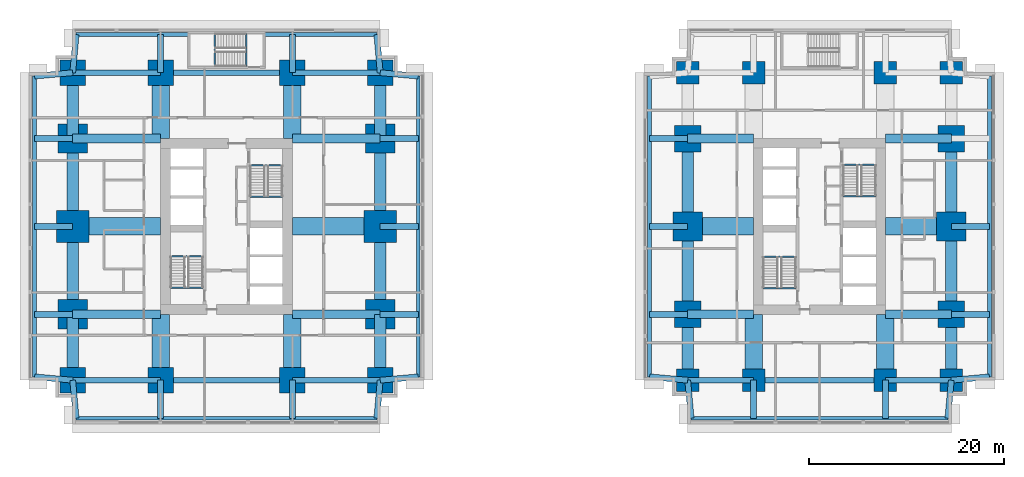
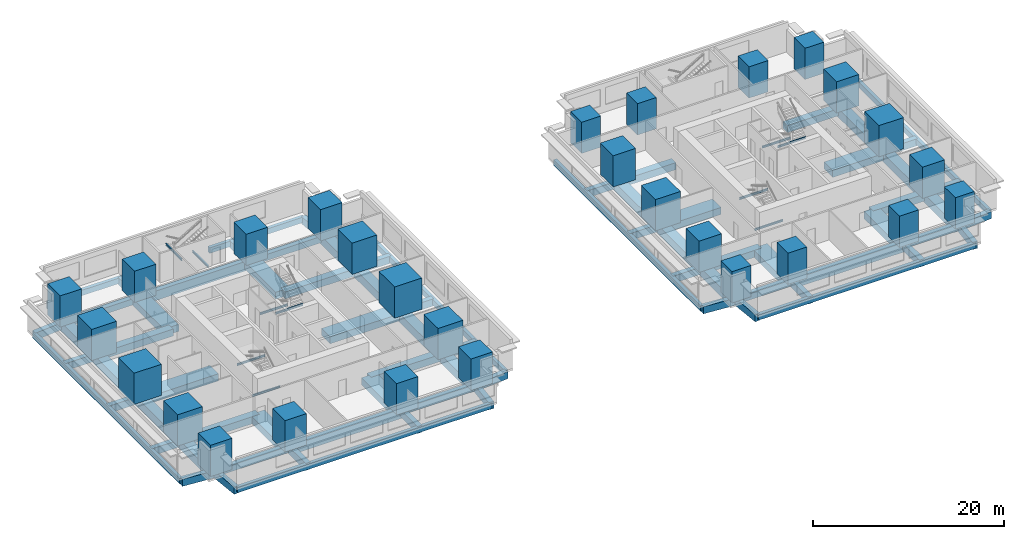
# One storey, part 1 of 12: 88 beams, 28 columns.
"""IFC4 building model written with IfcOpenShell, lengths in metres."""

from ifc_helpers import new_model, si_unit, direction, frame, origin, origin_2d, place, context, subcontext, project, spatial, rectangle, i_section, extrude, material, material_profile, profile_set, type_object, element, save


model = new_model("IFC4")

# Units and contexts
model_context = context("Model", 3, precision=1e-05, world=origin(), true_north=direction((0.0, 1.0)))
body_context = subcontext(model_context, "Body", "Model", "MODEL_VIEW")
ifc_project = project(units=[si_unit("LENGTHUNIT", "METRE"), si_unit("AREAUNIT", "SQUARE_METRE"), si_unit("VOLUMEUNIT", "CUBIC_METRE"), si_unit("PLANEANGLEUNIT", "RADIAN"), si_unit("MASSUNIT", "GRAM", prefix="KILO")], contexts=[model_context])

# Site, building, storey
site_placement = place(None, origin())
site = spatial("IfcSite", under=ifc_project, at=site_placement, CompositionType="ELEMENT")
building_placement = place(site_placement, origin())
building = spatial("IfcBuilding", under=site, at=building_placement, Name="Namib Vertical Campus", CompositionType="ELEMENT")
storey_placement = place(building_placement, frame((0.0, 0.0, 45.0)))
storey = spatial("IfcBuildingStorey", under=building, at=storey_placement, Name="L10", CompositionType="ELEMENT", Elevation=45.0)

# Columns
ifc_material_1 = material(Name="Concrete C60/75", Category="concrete")
ifc_material_profile_1 = material_profile(ifc_material_1, rectangle(XDim=2.300048828125, YDim=2.300048828125, at=origin_2d()))
ifc_profile_set_1 = profile_set([ifc_material_profile_1], Name="Concrete C60/75")
column_type_1 = type_object("IfcColumnType", Name="Column RC 2300x2300", PredefinedType="COLUMN", material=ifc_profile_set_1)
for number, where, z_axis, x_axis, name in (
    (1, (67.5, 4.5, 0.0), (0.0, 0.0, 1.0), (1.0, 0.0, 0.0), "Column C230 L10"),
    (2, (74.25, 4.5, 0.0), (0.0, 0.0, 1.0), (1.0, 0.0, 0.0), "Column C230 L10"),
    (3, (87.75, 4.5, 0.0), (0.0, 0.0, 1.0), (1.0, 0.0, 0.0), "Column C230 L10"),
    (4, (94.5, 4.5, 0.0), (0.0, 0.0, 1.0), (1.0, 0.0, 0.0), "Column C230 L10"),
    (5, (67.5, 36.0, 0.0), (0.0, 0.0, 1.0), (1.0, 0.0, 0.0), "Column C230 L10"),
    (6, (74.25, 36.0, 0.0), (0.0, 0.0, 1.0), (1.0, 0.0, 0.0), "Column C230 L10"),
    (7, (87.75, 36.0, 0.0), (0.0, 0.0, 1.0), (1.0, 0.0, 0.0), "Column C230 L10"),
    (8, (94.5, 36.0, 0.0), (0.0, 0.0, 1.0), (1.0, 0.0, 0.0), "Column C230 L10"),
):
    element("IfcColumn", number, at=place(storey_placement, frame(where, z_axis=z_axis, x_axis=x_axis)), inside=storey, type_object=column_type_1, Name=name, PredefinedType="COLUMN", context=body_context, shape_type="SweptSolid", body=[
        extrude(rectangle(XDim=2.300048828125, YDim=2.300048828125, at=origin_2d()), origin(), (0.0, 0.0, 1.0), 4.0),
    ])
ifc_material_2 = material(Name="Concrete C60/75", Category="concrete")
ifc_material_profile_2 = material_profile(ifc_material_2, rectangle(XDim=2.60009765625, YDim=2.60009765625, at=origin_2d()))
ifc_profile_set_2 = profile_set([ifc_material_profile_2], Name="Concrete C60/75")
column_type_2 = type_object("IfcColumnType", Name="Column RC 2600x2600", PredefinedType="COLUMN", material=ifc_profile_set_2)
for number, where, z_axis, x_axis, name in (
    (9, (4.5, 4.5, 0.0), (0.0, 0.0, 1.0), (1.0, 0.0, 0.0), "Column C260 L10"),
    (10, (13.5, 4.5, 0.0), (0.0, 0.0, 1.0), (1.0, 0.0, 0.0), "Column C260 L10"),
    (11, (27.0, 4.5, 0.0), (0.0, 0.0, 1.0), (1.0, 0.0, 0.0), "Column C260 L10"),
    (12, (36.0, 4.5, 0.0), (0.0, 0.0, 1.0), (1.0, 0.0, 0.0), "Column C260 L10"),
    (13, (4.5, 36.0, 0.0), (0.0, 0.0, 1.0), (1.0, 0.0, 0.0), "Column C260 L10"),
    (14, (13.5, 36.0, 0.0), (0.0, 0.0, 1.0), (1.0, 0.0, 0.0), "Column C260 L10"),
    (15, (27.0, 36.0, 0.0), (0.0, 0.0, 1.0), (1.0, 0.0, 0.0), "Column C260 L10"),
    (16, (36.0, 36.0, 0.0), (0.0, 0.0, 1.0), (1.0, 0.0, 0.0), "Column C260 L10"),
):
    element("IfcColumn", number, at=place(storey_placement, frame(where, z_axis=z_axis, x_axis=x_axis)), inside=storey, type_object=column_type_2, Name=name, PredefinedType="COLUMN", context=body_context, shape_type="SweptSolid", body=[
        extrude(rectangle(XDim=2.60009765625, YDim=2.60009765625, at=origin_2d()), origin(), (0.0, 0.0, 1.0), 4.0),
    ])
ifc_material_3 = material(Name="Concrete C60/75", Category="concrete")
ifc_material_profile_3 = material_profile(ifc_material_3, rectangle(XDim=2.699951171875, YDim=2.699951171875, at=origin_2d()))
ifc_profile_set_3 = profile_set([ifc_material_profile_3], Name="Concrete C60/75")
column_type_3 = type_object("IfcColumnType", Name="Column RC 2700x2700", PredefinedType="COLUMN", material=ifc_profile_set_3)
for number, where, z_axis, x_axis, name in (
    (17, (67.5, 11.25, 0.0), (0.0, 0.0, 1.0), (1.0, 0.0, 0.0), "Column C270 L10"),
    (18, (94.5, 11.25, 0.0), (0.0, 0.0, 1.0), (1.0, 0.0, 0.0), "Column C270 L10"),
    (19, (67.5, 29.25, 0.0), (0.0, 0.0, 1.0), (1.0, 0.0, 0.0), "Column C270 L10"),
    (20, (94.5, 29.25, 0.0), (0.0, 0.0, 1.0), (1.0, 0.0, 0.0), "Column C270 L10"),
):
    element("IfcColumn", number, at=place(storey_placement, frame(where, z_axis=z_axis, x_axis=x_axis)), inside=storey, type_object=column_type_3, Name=name, PredefinedType="COLUMN", context=body_context, shape_type="SweptSolid", body=[
        extrude(rectangle(XDim=2.699951171875, YDim=2.699951171875, at=origin_2d()), origin(), (0.0, 0.0, 1.0), 4.0),
    ])
ifc_material_4 = material(Name="Concrete C60/75", Category="concrete")
ifc_material_profile_4 = material_profile(ifc_material_4, rectangle(XDim=3.0, YDim=3.0, at=origin_2d()))
ifc_profile_set_4 = profile_set([ifc_material_profile_4], Name="Concrete C60/75")
column_type_4 = type_object("IfcColumnType", Name="Column RC 3000x3000", PredefinedType="COLUMN", material=ifc_profile_set_4)
for number, where, z_axis, x_axis, name in (
    (21, (4.5, 11.25, 0.0), (0.0, 0.0, 1.0), (1.0, 0.0, 0.0), "Column C300 L10"),
    (22, (36.0, 11.25, 0.0), (0.0, 0.0, 1.0), (1.0, 0.0, 0.0), "Column C300 L10"),
    (23, (4.5, 29.25, 0.0), (0.0, 0.0, 1.0), (1.0, 0.0, 0.0), "Column C300 L10"),
    (24, (36.0, 29.25, 0.0), (0.0, 0.0, 1.0), (1.0, 0.0, 0.0), "Column C300 L10"),
    (25, (67.5, 20.25, 0.0), (0.0, 0.0, 1.0), (1.0, 0.0, 0.0), "Column C300 L10"),
    (26, (94.5, 20.25, 0.0), (0.0, 0.0, 1.0), (1.0, 0.0, 0.0), "Column C300 L10"),
):
    element("IfcColumn", number, at=place(storey_placement, frame(where, z_axis=z_axis, x_axis=x_axis)), inside=storey, type_object=column_type_4, Name=name, PredefinedType="COLUMN", context=body_context, shape_type="SweptSolid", body=[
        extrude(rectangle(XDim=3.0, YDim=3.0, at=origin_2d()), origin(), (0.0, 0.0, 1.0), 4.0),
    ])
ifc_material_5 = material(Name="Concrete C60/75", Category="concrete")
ifc_material_profile_5 = material_profile(ifc_material_5, rectangle(XDim=3.300048828125, YDim=3.300048828125, at=origin_2d()))
ifc_profile_set_5 = profile_set([ifc_material_profile_5], Name="Concrete C60/75")
column_type_5 = type_object("IfcColumnType", Name="Column RC 3300x3300", PredefinedType="COLUMN", material=ifc_profile_set_5)
for number, where, z_axis, x_axis, name in (
    (27, (4.5, 20.25, 0.0), (0.0, 0.0, 1.0), (1.0, 0.0, 0.0), "Column C330 L10"),
    (28, (36.0, 20.25, 0.0), (0.0, 0.0, 1.0), (1.0, 0.0, 0.0), "Column C330 L10"),
):
    element("IfcColumn", number, at=place(storey_placement, frame(where, z_axis=z_axis, x_axis=x_axis)), inside=storey, type_object=column_type_5, Name=name, PredefinedType="COLUMN", context=body_context, shape_type="SweptSolid", body=[
        extrude(rectangle(XDim=3.300048828125, YDim=3.300048828125, at=origin_2d()), origin(), (0.0, 0.0, 1.0), 4.0),
    ])

# Beams
ifc_material_6 = material(Name="Concrete C40/50", Category="concrete")
ifc_material_profile_6 = material_profile(ifc_material_6, rectangle(XDim=0.60009765625, YDim=0.89990234375, at=origin_2d()))
ifc_profile_set_6 = profile_set([ifc_material_profile_6], Name="Concrete C40/50")
beam_type_1 = type_object("IfcBeamType", Name="Cantilever girder RC 600x900", PredefinedType="BEAM", material=ifc_profile_set_6)
beam_1_placement = place(storey_placement, frame((4.5, 4.5, -0.699951171875), z_axis=(0.089411326146, -0.995994786511, 0.0), x_axis=(0.995994786511, 0.089411326146, 0.0)))
element("IfcBeam", 29, at=beam_1_placement, inside=storey, type_object=beam_type_1, Name="Beam B3 L10", PredefinedType="BEAM", context=body_context, shape_type="SweptSolid", body=[
    extrude(rectangle(XDim=0.60009765625, YDim=0.89990234375, at=origin_2d()), origin(), (0.0, 0.0, 1.0), 3.91552734375),
])
for number, where, z_axis, x_axis, name in (
    (30, (13.5, 4.5, -0.699951171875), (0.0, -1.0, 0.0), (1.0, 0.0, 0.0), "Beam B3 L10"),
    (31, (27.0, 4.5, -0.699951171875), (0.0, -1.0, 0.0), (1.0, 0.0, 0.0), "Beam B3 L10"),
):
    element("IfcBeam", number, at=place(storey_placement, frame(where, z_axis=z_axis, x_axis=x_axis)), inside=storey, type_object=beam_type_1, Name=name, PredefinedType="BEAM", context=body_context, shape_type="SweptSolid", body=[
        extrude(rectangle(XDim=0.60009765625, YDim=0.89990234375, at=origin_2d()), origin(), (0.0, 0.0, 1.0), 3.89990234375),
    ])
for number, where, z_axis, x_axis, name in (
    (32, (36.0, 4.5, -0.699951171875), (-0.089411326146, -0.995994786511, 0.0), (0.995994786511, -0.089411326146, 0.0), "Beam B3 L10"),
    (33, (4.5, 36.0, -0.699951171875), (0.089411326146, 0.995994786511, 0.0), (-0.995994786511, 0.089411326146, 0.0), "Beam B3 L10"),
):
    element("IfcBeam", number, at=place(storey_placement, frame(where, z_axis=z_axis, x_axis=x_axis)), inside=storey, type_object=beam_type_1, Name=name, PredefinedType="BEAM", context=body_context, shape_type="SweptSolid", body=[
        extrude(rectangle(XDim=0.60009765625, YDim=0.89990234375, at=origin_2d()), origin(), (0.0, 0.0, 1.0), 3.91552734375),
    ])
for number, where, z_axis, x_axis, name in (
    (34, (13.5, 36.0, -0.699951171875), (0.0, 1.0, 0.0), (-1.0, 0.0, 0.0), "Beam B3 L10"),
    (35, (27.0, 36.0, -0.699951171875), (0.0, 1.0, 0.0), (-1.0, 0.0, 0.0), "Beam B3 L10"),
):
    element("IfcBeam", number, at=place(storey_placement, frame(where, z_axis=z_axis, x_axis=x_axis)), inside=storey, type_object=beam_type_1, Name=name, PredefinedType="BEAM", context=body_context, shape_type="SweptSolid", body=[
        extrude(rectangle(XDim=0.60009765625, YDim=0.89990234375, at=origin_2d()), origin(), (0.0, 0.0, 1.0), 3.89990234375),
    ])
for number, where, z_axis, x_axis, name in (
    (36, (36.0, 36.0, -0.699951171875), (-0.089411326146, 0.995994786511, 0.0), (-0.995994786511, -0.089411326146, 0.0), "Beam B3 L10"),
    (37, (4.5, 4.5, -0.699951171875), (-0.995994786511, 0.089411326146, 0.0), (-0.089411326146, -0.995994786511, 0.0), "Beam B3 L10"),
):
    element("IfcBeam", number, at=place(storey_placement, frame(where, z_axis=z_axis, x_axis=x_axis)), inside=storey, type_object=beam_type_1, Name=name, PredefinedType="BEAM", context=body_context, shape_type="SweptSolid", body=[
        extrude(rectangle(XDim=0.60009765625, YDim=0.89990234375, at=origin_2d()), origin(), (0.0, 0.0, 1.0), 3.91552734375),
    ])
for number, where, z_axis, x_axis, name in (
    (38, (4.5, 11.25, -0.699951171875), (-1.0, 0.0, 0.0), (0.0, -1.0, 0.0), "Beam B3 L10"),
    (39, (4.5, 20.25, -0.699951171875), (-1.0, 0.0, 0.0), (0.0, -1.0, 0.0), "Beam B3 L10"),
    (40, (4.5, 29.25, -0.699951171875), (-1.0, 0.0, 0.0), (0.0, -1.0, 0.0), "Beam B3 L10"),
):
    element("IfcBeam", number, at=place(storey_placement, frame(where, z_axis=z_axis, x_axis=x_axis)), inside=storey, type_object=beam_type_1, Name=name, PredefinedType="BEAM", context=body_context, shape_type="SweptSolid", body=[
        extrude(rectangle(XDim=0.60009765625, YDim=0.89990234375, at=origin_2d()), origin(), (0.0, 0.0, 1.0), 3.89990234375),
    ])
for number, where, z_axis, x_axis, name in (
    (41, (4.5, 36.0, -0.699951171875), (-0.995994786511, -0.089411326146, 0.0), (0.089411326146, -0.995994786511, 0.0), "Beam B3 L10"),
    (42, (36.0, 4.5, -0.699951171875), (0.995994786511, 0.089411326146, 0.0), (-0.089411326146, 0.995994786511, 0.0), "Beam B3 L10"),
):
    element("IfcBeam", number, at=place(storey_placement, frame(where, z_axis=z_axis, x_axis=x_axis)), inside=storey, type_object=beam_type_1, Name=name, PredefinedType="BEAM", context=body_context, shape_type="SweptSolid", body=[
        extrude(rectangle(XDim=0.60009765625, YDim=0.89990234375, at=origin_2d()), origin(), (0.0, 0.0, 1.0), 3.91552734375),
    ])
for number, where, z_axis, x_axis, name in (
    (43, (36.0, 11.25, -0.699951171875), (1.0, 0.0, 0.0), (0.0, 1.0, 0.0), "Beam B3 L10"),
    (44, (36.0, 20.25, -0.699951171875), (1.0, 0.0, 0.0), (0.0, 1.0, 0.0), "Beam B3 L10"),
    (45, (36.0, 29.25, -0.699951171875), (1.0, 0.0, 0.0), (0.0, 1.0, 0.0), "Beam B3 L10"),
):
    element("IfcBeam", number, at=place(storey_placement, frame(where, z_axis=z_axis, x_axis=x_axis)), inside=storey, type_object=beam_type_1, Name=name, PredefinedType="BEAM", context=body_context, shape_type="SweptSolid", body=[
        extrude(rectangle(XDim=0.60009765625, YDim=0.89990234375, at=origin_2d()), origin(), (0.0, 0.0, 1.0), 3.89990234375),
    ])
for number, where, z_axis, x_axis, name in (
    (46, (36.0, 36.0, -0.699951171875), (0.995994786511, -0.089411326146, 0.0), (0.089411326146, 0.995994786511, 0.0), "Beam B3 L10"),
    (47, (67.5, 4.5, -0.699951171875), (0.089411326146, -0.995994786511, 0.0), (0.995994786511, 0.089411326146, 0.0), "Beam B3 L10"),
):
    element("IfcBeam", number, at=place(storey_placement, frame(where, z_axis=z_axis, x_axis=x_axis)), inside=storey, type_object=beam_type_1, Name=name, PredefinedType="BEAM", context=body_context, shape_type="SweptSolid", body=[
        extrude(rectangle(XDim=0.60009765625, YDim=0.89990234375, at=origin_2d()), origin(), (0.0, 0.0, 1.0), 3.91552734375),
    ])
for number, where, z_axis, x_axis, name in (
    (48, (74.25, 4.5, -0.699951171875), (0.0, -1.0, 0.0), (1.0, 0.0, 0.0), "Beam B3 L10"),
    (49, (87.75, 4.5, -0.699951171875), (0.0, -1.0, 0.0), (1.0, 0.0, 0.0), "Beam B3 L10"),
):
    element("IfcBeam", number, at=place(storey_placement, frame(where, z_axis=z_axis, x_axis=x_axis)), inside=storey, type_object=beam_type_1, Name=name, PredefinedType="BEAM", context=body_context, shape_type="SweptSolid", body=[
        extrude(rectangle(XDim=0.60009765625, YDim=0.89990234375, at=origin_2d()), origin(), (0.0, 0.0, 1.0), 3.89990234375),
    ])
for number, where, z_axis, x_axis, name in (
    (50, (94.5, 4.5, -0.699951171875), (-0.089411326146, -0.995994786511, 0.0), (0.995994786511, -0.089411326146, 0.0), "Beam B3 L10"),
    (51, (67.5, 4.5, -0.699951171875), (-0.995994786511, 0.089411326146, 0.0), (-0.089411326146, -0.995994786511, 0.0), "Beam B3 L10"),
):
    element("IfcBeam", number, at=place(storey_placement, frame(where, z_axis=z_axis, x_axis=x_axis)), inside=storey, type_object=beam_type_1, Name=name, PredefinedType="BEAM", context=body_context, shape_type="SweptSolid", body=[
        extrude(rectangle(XDim=0.60009765625, YDim=0.89990234375, at=origin_2d()), origin(), (0.0, 0.0, 1.0), 3.91552734375),
    ])
for number, where, z_axis, x_axis, name in (
    (52, (67.5, 11.25, -0.699951171875), (-1.0, 0.0, 0.0), (0.0, -1.0, 0.0), "Beam B3 L10"),
    (53, (67.5, 20.25, -0.699951171875), (-1.0, 0.0, 0.0), (0.0, -1.0, 0.0), "Beam B3 L10"),
    (54, (67.5, 29.25, -0.699951171875), (-1.0, 0.0, 0.0), (0.0, -1.0, 0.0), "Beam B3 L10"),
):
    element("IfcBeam", number, at=place(storey_placement, frame(where, z_axis=z_axis, x_axis=x_axis)), inside=storey, type_object=beam_type_1, Name=name, PredefinedType="BEAM", context=body_context, shape_type="SweptSolid", body=[
        extrude(rectangle(XDim=0.60009765625, YDim=0.89990234375, at=origin_2d()), origin(), (0.0, 0.0, 1.0), 3.89990234375),
    ])
beam_2_placement = place(storey_placement, frame((94.5, 4.5, -0.699951171875), z_axis=(0.995994786511, 0.089411326146, 0.0), x_axis=(-0.089411326146, 0.995994786511, 0.0)))
element("IfcBeam", 55, at=beam_2_placement, inside=storey, type_object=beam_type_1, Name="Beam B3 L10", PredefinedType="BEAM", context=body_context, shape_type="SweptSolid", body=[
    extrude(rectangle(XDim=0.60009765625, YDim=0.89990234375, at=origin_2d()), origin(), (0.0, 0.0, 1.0), 3.91552734375),
])
for number, where, z_axis, x_axis, name in (
    (56, (94.5, 11.25, -0.699951171875), (1.0, 0.0, 0.0), (0.0, 1.0, 0.0), "Beam B3 L10"),
    (57, (94.5, 20.25, -0.699951171875), (1.0, 0.0, 0.0), (0.0, 1.0, 0.0), "Beam B3 L10"),
):
    element("IfcBeam", number, at=place(storey_placement, frame(where, z_axis=z_axis, x_axis=x_axis)), inside=storey, type_object=beam_type_1, Name=name, PredefinedType="BEAM", context=body_context, shape_type="SweptSolid", body=[
        extrude(rectangle(XDim=0.60009765625, YDim=0.89990234375, at=origin_2d()), origin(), (0.0, 0.0, 1.0), 3.89990234375),
    ])
ifc_material_7 = material(Name="Concrete C40/50", Category="concrete")
ifc_material_profile_7 = material_profile(ifc_material_7, rectangle(XDim=0.39990234375, YDim=0.699951171875, at=origin_2d()))
ifc_profile_set_7 = profile_set([ifc_material_profile_7], Name="Concrete C40/50")
beam_type_2 = type_object("IfcBeamType", Name="Edge beam RC 400x700", PredefinedType="SPANDREL", material=ifc_profile_set_7)
beam_3_placement = place(storey_placement, frame((4.85009765625, 0.60009765625, -0.60009765625), z_axis=(1.0, 0.0, 0.0), x_axis=(0.0, 1.0, 0.0)))
element("IfcBeam", 58, at=beam_3_placement, inside=storey, type_object=beam_type_2, Name="Beam B4 L10", PredefinedType="SPANDREL", context=body_context, shape_type="SweptSolid", body=[
    extrude(rectangle(XDim=0.39990234375, YDim=0.699951171875, at=origin_2d()), origin(), (0.0, 0.0, 1.0), 30.7998046875),
])
for number, where, z_axis, x_axis, name in (
    (59, (4.85009765625, 39.89990234375, -0.60009765625), (1.0, 0.0, 0.0), (0.0, 1.0, 0.0), "Beam B4 L10"),
    (60, (24.199951171875, 39.89990234375, -0.60009765625), (1.0, 0.0, 0.0), (0.0, 1.0, 0.0), "Beam B4 L10"),
):
    element("IfcBeam", number, at=place(storey_placement, frame(where, z_axis=z_axis, x_axis=x_axis)), inside=storey, type_object=beam_type_2, Name=name, PredefinedType="SPANDREL", context=body_context, shape_type="SweptSolid", body=[
        extrude(rectangle(XDim=0.39990234375, YDim=0.699951171875, at=origin_2d()), origin(), (0.0, 0.0, 1.0), 11.449951171875),
    ])
for number, where, z_axis, x_axis, name in (
    (61, (0.60009765625, 4.85009765625, -0.60009765625), (0.0, 1.0, 0.0), (-1.0, 0.0, 0.0), "Beam B4 L10"),
    (62, (39.89990234375, 4.85009765625, -0.60009765625), (0.0, 1.0, 0.0), (-1.0, 0.0, 0.0), "Beam B4 L10"),
):
    element("IfcBeam", number, at=place(storey_placement, frame(where, z_axis=z_axis, x_axis=x_axis)), inside=storey, type_object=beam_type_2, Name=name, PredefinedType="SPANDREL", context=body_context, shape_type="SweptSolid", body=[
        extrude(rectangle(XDim=0.39990234375, YDim=0.699951171875, at=origin_2d()), origin(), (0.0, 0.0, 1.0), 30.7998046875),
    ])
beam_4_placement = place(storey_placement, frame((67.85009765625, 0.60009765625, -0.60009765625), z_axis=(1.0, 0.0, 0.0), x_axis=(0.0, 1.0, 0.0)))
element("IfcBeam", 63, at=beam_4_placement, inside=storey, type_object=beam_type_2, Name="Beam B4 L10", PredefinedType="SPANDREL", context=body_context, shape_type="SweptSolid", body=[
    extrude(rectangle(XDim=0.39990234375, YDim=0.699951171875, at=origin_2d()), origin(), (0.0, 0.0, 1.0), 26.2998046875),
])
for number, where, z_axis, x_axis, name in (
    (64, (63.60009765625, 4.85009765625, -0.60009765625), (0.0, 1.0, 0.0), (-1.0, 0.0, 0.0), "Beam B4 L10"),
    (65, (98.39990234375, 4.85009765625, -0.60009765625), (0.0, 1.0, 0.0), (-1.0, 0.0, 0.0), "Beam B4 L10"),
):
    element("IfcBeam", number, at=place(storey_placement, frame(where, z_axis=z_axis, x_axis=x_axis)), inside=storey, type_object=beam_type_2, Name=name, PredefinedType="SPANDREL", context=body_context, shape_type="SweptSolid", body=[
        extrude(rectangle(XDim=0.39990234375, YDim=0.699951171875, at=origin_2d()), origin(), (0.0, 0.0, 1.0), 30.7998046875),
    ])
ifc_material_8 = material(Name="Concrete C40/50", Category="concrete")
ifc_material_profile_8 = material_profile(ifc_material_8, rectangle(XDim=0.89990234375, YDim=0.89990234375, at=origin_2d()))
ifc_profile_set_8 = profile_set([ifc_material_profile_8], Name="Concrete C40/50")
beam_type_3 = type_object("IfcBeamType", Name="Face girder RC 900x900", PredefinedType="BEAM", material=ifc_profile_set_8)
for number, where, z_axis, x_axis, name in (
    (66, (4.5, 11.25, -0.699951171875), (1.0, 0.0, 0.0), (0.0, 1.0, 0.0), "Beam B10 L10"),
    (67, (36.0, 11.25, -0.699951171875), (-1.0, 0.0, 0.0), (0.0, -1.0, 0.0), "Beam B10 L10"),
    (68, (4.5, 29.25, -0.699951171875), (1.0, 0.0, 0.0), (0.0, 1.0, 0.0), "Beam B10 L10"),
    (69, (36.0, 29.25, -0.699951171875), (-1.0, 0.0, 0.0), (0.0, -1.0, 0.0), "Beam B10 L10"),
):
    element("IfcBeam", number, at=place(storey_placement, frame(where, z_axis=z_axis, x_axis=x_axis)), inside=storey, type_object=beam_type_3, Name=name, PredefinedType="BEAM", context=body_context, shape_type="SweptSolid", body=[
        extrude(rectangle(XDim=0.89990234375, YDim=0.89990234375, at=origin_2d()), origin(), (0.0, 0.0, 1.0), 9.0),
    ])
for number, where, z_axis, x_axis, name in (
    (70, (67.5, 11.25, -0.699951171875), (1.0, 0.0, 0.0), (0.0, 1.0, 0.0), "Beam B10 L10"),
    (71, (94.5, 11.25, -0.699951171875), (-1.0, 0.0, 0.0), (0.0, -1.0, 0.0), "Beam B10 L10"),
    (72, (67.5, 29.25, -0.699951171875), (1.0, 0.0, 0.0), (0.0, 1.0, 0.0), "Beam B10 L10"),
    (73, (94.5, 29.25, -0.699951171875), (-1.0, 0.0, 0.0), (0.0, -1.0, 0.0), "Beam B10 L10"),
):
    element("IfcBeam", number, at=place(storey_placement, frame(where, z_axis=z_axis, x_axis=x_axis)), inside=storey, type_object=beam_type_3, Name=name, PredefinedType="BEAM", context=body_context, shape_type="SweptSolid", body=[
        extrude(rectangle(XDim=0.89990234375, YDim=0.89990234375, at=origin_2d()), origin(), (0.0, 0.0, 1.0), 6.75),
    ])
ifc_material_9 = material(Name="Concrete C40/50", Category="concrete")
ifc_material_profile_9 = material_profile(ifc_material_9, rectangle(XDim=1.199951171875, YDim=1.10009765625, at=origin_2d()))
ifc_profile_set_9 = profile_set([ifc_material_profile_9], Name="Concrete C40/50")
beam_type_4 = type_object("IfcBeamType", Name="Face ring beam RC 1200x1100", PredefinedType="BEAM", material=ifc_profile_set_9)
beam_5_placement = place(storey_placement, frame((4.5, 4.5, -0.800048828125), z_axis=(0.0, 1.0, 0.0), x_axis=(-1.0, 0.0, 0.0)))
element("IfcBeam", 74, at=beam_5_placement, inside=storey, type_object=beam_type_4, Name="Beam B11 L10", PredefinedType="BEAM", context=body_context, shape_type="SweptSolid", body=[
    extrude(rectangle(XDim=1.199951171875, YDim=1.10009765625, at=origin_2d()), origin(), (0.0, 0.0, 1.0), 6.75),
])
for number, where, z_axis, x_axis, name in (
    (75, (4.5, 11.25, -0.800048828125), (0.0, 1.0, 0.0), (-1.0, 0.0, 0.0), "Beam B11 L10"),
    (76, (4.5, 20.25, -0.800048828125), (0.0, 1.0, 0.0), (-1.0, 0.0, 0.0), "Beam B11 L10"),
):
    element("IfcBeam", number, at=place(storey_placement, frame(where, z_axis=z_axis, x_axis=x_axis)), inside=storey, type_object=beam_type_4, Name=name, PredefinedType="BEAM", context=body_context, shape_type="SweptSolid", body=[
        extrude(rectangle(XDim=1.199951171875, YDim=1.10009765625, at=origin_2d()), origin(), (0.0, 0.0, 1.0), 9.0),
    ])
for number, where, z_axis, x_axis, name in (
    (77, (4.5, 29.25, -0.800048828125), (0.0, 1.0, 0.0), (-1.0, 0.0, 0.0), "Beam B11 L10"),
    (78, (36.0, 4.5, -0.800048828125), (0.0, 1.0, 0.0), (-1.0, 0.0, 0.0), "Beam B11 L10"),
):
    element("IfcBeam", number, at=place(storey_placement, frame(where, z_axis=z_axis, x_axis=x_axis)), inside=storey, type_object=beam_type_4, Name=name, PredefinedType="BEAM", context=body_context, shape_type="SweptSolid", body=[
        extrude(rectangle(XDim=1.199951171875, YDim=1.10009765625, at=origin_2d()), origin(), (0.0, 0.0, 1.0), 6.75),
    ])
for number, where, z_axis, x_axis, name in (
    (79, (36.0, 11.25, -0.800048828125), (0.0, 1.0, 0.0), (-1.0, 0.0, 0.0), "Beam B11 L10"),
    (80, (36.0, 20.25, -0.800048828125), (0.0, 1.0, 0.0), (-1.0, 0.0, 0.0), "Beam B11 L10"),
):
    element("IfcBeam", number, at=place(storey_placement, frame(where, z_axis=z_axis, x_axis=x_axis)), inside=storey, type_object=beam_type_4, Name=name, PredefinedType="BEAM", context=body_context, shape_type="SweptSolid", body=[
        extrude(rectangle(XDim=1.199951171875, YDim=1.10009765625, at=origin_2d()), origin(), (0.0, 0.0, 1.0), 9.0),
    ])
for number, where, z_axis, x_axis, name in (
    (81, (36.0, 29.25, -0.800048828125), (0.0, 1.0, 0.0), (-1.0, 0.0, 0.0), "Beam B11 L10"),
    (82, (67.5, 4.5, -0.800048828125), (0.0, 1.0, 0.0), (-1.0, 0.0, 0.0), "Beam B11 L10"),
):
    element("IfcBeam", number, at=place(storey_placement, frame(where, z_axis=z_axis, x_axis=x_axis)), inside=storey, type_object=beam_type_4, Name=name, PredefinedType="BEAM", context=body_context, shape_type="SweptSolid", body=[
        extrude(rectangle(XDim=1.199951171875, YDim=1.10009765625, at=origin_2d()), origin(), (0.0, 0.0, 1.0), 6.75),
    ])
for number, where, z_axis, x_axis, name in (
    (83, (67.5, 11.25, -0.800048828125), (0.0, 1.0, 0.0), (-1.0, 0.0, 0.0), "Beam B11 L10"),
    (84, (67.5, 20.25, -0.800048828125), (0.0, 1.0, 0.0), (-1.0, 0.0, 0.0), "Beam B11 L10"),
):
    element("IfcBeam", number, at=place(storey_placement, frame(where, z_axis=z_axis, x_axis=x_axis)), inside=storey, type_object=beam_type_4, Name=name, PredefinedType="BEAM", context=body_context, shape_type="SweptSolid", body=[
        extrude(rectangle(XDim=1.199951171875, YDim=1.10009765625, at=origin_2d()), origin(), (0.0, 0.0, 1.0), 9.0),
    ])
beam_6_placement = place(storey_placement, frame((94.5, 4.5, -0.800048828125), z_axis=(0.0, 1.0, 0.0), x_axis=(-1.0, 0.0, 0.0)))
element("IfcBeam", 85, at=beam_6_placement, inside=storey, type_object=beam_type_4, Name="Beam B11 L10", PredefinedType="BEAM", context=body_context, shape_type="SweptSolid", body=[
    extrude(rectangle(XDim=1.199951171875, YDim=1.10009765625, at=origin_2d()), origin(), (0.0, 0.0, 1.0), 6.75),
])
for number, where, z_axis, x_axis, name in (
    (86, (94.5, 11.25, -0.800048828125), (0.0, 1.0, 0.0), (-1.0, 0.0, 0.0), "Beam B11 L10"),
    (87, (94.5, 20.25, -0.800048828125), (0.0, 1.0, 0.0), (-1.0, 0.0, 0.0), "Beam B11 L10"),
):
    element("IfcBeam", number, at=place(storey_placement, frame(where, z_axis=z_axis, x_axis=x_axis)), inside=storey, type_object=beam_type_4, Name=name, PredefinedType="BEAM", context=body_context, shape_type="SweptSolid", body=[
        extrude(rectangle(XDim=1.199951171875, YDim=1.10009765625, at=origin_2d()), origin(), (0.0, 0.0, 1.0), 9.0),
    ])
ifc_material_10 = material(Name="Steel S355JR", Category="steel")
ifc_material_profile_10 = material_profile(ifc_material_10, i_section(OverallWidth=0.14599609375, OverallDepth=0.25146484375, WebThickness=0.006103515625, FlangeThickness=0.008544921875, FilletRadius=0.007568359375, at=origin_2d()))
ifc_profile_set_10 = profile_set([ifc_material_profile_10], Name="Steel S355JR")
beam_type_5 = type_object("IfcBeamType", Name="Landing trimmer UB 254x146x31", PredefinedType="BEAM", material=ifc_profile_set_10)
for number, where, z_axis, x_axis, name in (
    (88, (14.5, 13.97705078125, -0.125732421875), (1.0, 0.0, 0.0), (0.0, 1.0, 0.0), "Landing trimmer LT1 A-S1 L10 1"),
    (89, (14.5, 17.203125, 1.874267578125), (1.0, 0.0, 0.0), (0.0, 1.0, 0.0), "Landing trimmer LT1 A-S1 L10 2"),
    (90, (22.64990234375, 26.52294921875, -0.125732421875), (1.0, 0.0, 0.0), (0.0, 1.0, 0.0), "Landing trimmer LT1 A-S2 L10 1"),
    (91, (22.64990234375, 23.296875, 1.874267578125), (1.0, 0.0, 0.0), (0.0, 1.0, 0.0), "Landing trimmer LT1 A-S2 L10 2"),
):
    element("IfcBeam", number, at=place(storey_placement, frame(where, z_axis=z_axis, x_axis=x_axis)), inside=storey, type_object=beam_type_5, Name=name, PredefinedType="BEAM", context=body_context, shape_type="SweptSolid", body=[
        extrude(i_section(OverallWidth=0.14599609375, OverallDepth=0.25146484375, WebThickness=0.006103515625, FlangeThickness=0.008544921875, FilletRadius=0.007568359375, at=origin_2d()), origin(), (0.0, 0.0, 1.0), 3.35009765625),
    ])
for number, where, z_axis, x_axis, name in (
    (92, (75.199951171875, 13.927001953125, -0.125732421875), (1.0, 0.0, 0.0), (0.0, 1.0, 0.0), "Landing trimmer LT1 B-S1 L10 1"),
    (93, (75.199951171875, 17.153076171875, 1.874267578125), (1.0, 0.0, 0.0), (0.0, 1.0, 0.0), "Landing trimmer LT1 B-S1 L10 2"),
    (94, (83.39990234375, 26.572998046875, -0.125732421875), (1.0, 0.0, 0.0), (0.0, 1.0, 0.0), "Landing trimmer LT1 B-S2 L10 1"),
    (95, (83.39990234375, 23.346923828125, 1.874267578125), (1.0, 0.0, 0.0), (0.0, 1.0, 0.0), "Landing trimmer LT1 B-S2 L10 2"),
):
    element("IfcBeam", number, at=place(storey_placement, frame(where, z_axis=z_axis, x_axis=x_axis)), inside=storey, type_object=beam_type_5, Name=name, PredefinedType="BEAM", context=body_context, shape_type="SweptSolid", body=[
        extrude(i_section(OverallWidth=0.14599609375, OverallDepth=0.25146484375, WebThickness=0.006103515625, FlangeThickness=0.008544921875, FilletRadius=0.007568359375, at=origin_2d()), origin(), (0.0, 0.0, 1.0), 3.400146484375),
    ])
for number, where, z_axis, x_axis, name in (
    (96, (22.27294921875, 36.64990234375, -0.125732421875), (0.0, 1.0, 0.0), (-1.0, 0.0, 0.0), "Landing trimmer LT1 A-S3 L10 1"),
    (97, (19.046875, 36.64990234375, 1.874267578125), (0.0, 1.0, 0.0), (-1.0, 0.0, 0.0), "Landing trimmer LT1 A-S3 L10 2"),
):
    element("IfcBeam", number, at=place(storey_placement, frame(where, z_axis=z_axis, x_axis=x_axis)), inside=storey, type_object=beam_type_5, Name=name, PredefinedType="BEAM", context=body_context, shape_type="SweptSolid", body=[
        extrude(i_section(OverallWidth=0.14599609375, OverallDepth=0.25146484375, WebThickness=0.006103515625, FlangeThickness=0.008544921875, FilletRadius=0.007568359375, at=origin_2d()), origin(), (0.0, 0.0, 1.0), 3.35009765625),
    ])
ifc_material_11 = material(Name="Concrete C40/50", Category="concrete")
ifc_material_profile_11 = material_profile(ifc_material_11, rectangle(XDim=0.60009765625, YDim=1.199951171875, at=origin_2d()))
ifc_profile_set_11 = profile_set([ifc_material_profile_11], Name="Concrete C40/50")
beam_type_6 = type_object("IfcBeamType", Name="Long-span ring beam RC 600x1200", PredefinedType="BEAM", material=ifc_profile_set_11)
for number, where, z_axis, x_axis, name in (
    (98, (13.5, 4.5, -0.85009765625), (1.0, 0.0, 0.0), (0.0, 1.0, 0.0), "Beam B9 L10"),
    (99, (13.5, 36.0, -0.85009765625), (1.0, 0.0, 0.0), (0.0, 1.0, 0.0), "Beam B9 L10"),
    (100, (74.25, 4.5, -0.85009765625), (1.0, 0.0, 0.0), (0.0, 1.0, 0.0), "Beam B9 L10"),
):
    element("IfcBeam", number, at=place(storey_placement, frame(where, z_axis=z_axis, x_axis=x_axis)), inside=storey, type_object=beam_type_6, Name=name, PredefinedType="BEAM", context=body_context, shape_type="SweptSolid", body=[
        extrude(rectangle(XDim=0.60009765625, YDim=1.199951171875, at=origin_2d()), origin(), (0.0, 0.0, 1.0), 13.5),
    ])
ifc_material_12 = material(Name="Concrete C40/50", Category="concrete")
ifc_material_profile_12 = material_profile(ifc_material_12, rectangle(XDim=1.800048828125, YDim=0.89990234375, at=origin_2d()))
ifc_profile_set_12 = profile_set([ifc_material_profile_12], Name="Concrete C40/50")
beam_type_7 = type_object("IfcBeamType", Name="Outrigger line girder RC 1800x900", PredefinedType="BEAM", material=ifc_profile_set_12)
for number, where, z_axis, x_axis, name in (
    (101, (13.5, 4.5, -0.699951171875), (0.0, 1.0, 0.0), (-1.0, 0.0, 0.0), "Beam B12 L10"),
    (102, (13.5, 36.0, -0.699951171875), (0.0, -1.0, 0.0), (1.0, 0.0, 0.0), "Beam B12 L10"),
    (103, (27.0, 4.5, -0.699951171875), (0.0, 1.0, 0.0), (-1.0, 0.0, 0.0), "Beam B12 L10"),
    (104, (27.0, 36.0, -0.699951171875), (0.0, -1.0, 0.0), (1.0, 0.0, 0.0), "Beam B12 L10"),
):
    element("IfcBeam", number, at=place(storey_placement, frame(where, z_axis=z_axis, x_axis=x_axis)), inside=storey, type_object=beam_type_7, Name=name, PredefinedType="BEAM", context=body_context, shape_type="SweptSolid", body=[
        extrude(rectangle(XDim=1.800048828125, YDim=0.89990234375, at=origin_2d()), origin(), (0.0, 0.0, 1.0), 6.75),
    ])
for number, where, z_axis, x_axis, name in (
    (105, (4.5, 20.25, -0.699951171875), (1.0, 0.0, 0.0), (0.0, 1.0, 0.0), "Beam B12 L10"),
    (106, (36.0, 20.25, -0.699951171875), (-1.0, 0.0, 0.0), (0.0, -1.0, 0.0), "Beam B12 L10"),
):
    element("IfcBeam", number, at=place(storey_placement, frame(where, z_axis=z_axis, x_axis=x_axis)), inside=storey, type_object=beam_type_7, Name=name, PredefinedType="BEAM", context=body_context, shape_type="SweptSolid", body=[
        extrude(rectangle(XDim=1.800048828125, YDim=0.89990234375, at=origin_2d()), origin(), (0.0, 0.0, 1.0), 9.0),
    ])
for number, where, z_axis, x_axis, name in (
    (107, (74.25, 4.5, -0.699951171875), (0.0, 1.0, 0.0), (-1.0, 0.0, 0.0), "Beam B12 L10"),
    (108, (87.75, 4.5, -0.699951171875), (0.0, 1.0, 0.0), (-1.0, 0.0, 0.0), "Beam B12 L10"),
    (109, (67.5, 20.25, -0.699951171875), (1.0, 0.0, 0.0), (0.0, 1.0, 0.0), "Beam B12 L10"),
    (110, (94.5, 20.25, -0.699951171875), (-1.0, 0.0, 0.0), (0.0, -1.0, 0.0), "Beam B12 L10"),
):
    element("IfcBeam", number, at=place(storey_placement, frame(where, z_axis=z_axis, x_axis=x_axis)), inside=storey, type_object=beam_type_7, Name=name, PredefinedType="BEAM", context=body_context, shape_type="SweptSolid", body=[
        extrude(rectangle(XDim=1.800048828125, YDim=0.89990234375, at=origin_2d()), origin(), (0.0, 0.0, 1.0), 6.75),
    ])
ifc_material_13 = material(Name="Concrete C40/50", Category="concrete")
ifc_material_profile_13 = material_profile(ifc_material_13, rectangle(XDim=0.60009765625, YDim=0.800048828125, at=origin_2d()))
ifc_profile_set_13 = profile_set([ifc_material_profile_13], Name="Concrete C40/50")
beam_type_8 = type_object("IfcBeamType", Name="Ring beam RC 600x800", PredefinedType="BEAM", material=ifc_profile_set_13)
for number, where, z_axis, x_axis, name in (
    (111, (4.5, 4.5, -0.64990234375), (1.0, 0.0, 0.0), (0.0, 1.0, 0.0), "Beam B1 L10"),
    (112, (27.0, 4.5, -0.64990234375), (1.0, 0.0, 0.0), (0.0, 1.0, 0.0), "Beam B1 L10"),
    (113, (4.5, 36.0, -0.64990234375), (1.0, 0.0, 0.0), (0.0, 1.0, 0.0), "Beam B1 L10"),
    (114, (27.0, 36.0, -0.64990234375), (1.0, 0.0, 0.0), (0.0, 1.0, 0.0), "Beam B1 L10"),
):
    element("IfcBeam", number, at=place(storey_placement, frame(where, z_axis=z_axis, x_axis=x_axis)), inside=storey, type_object=beam_type_8, Name=name, PredefinedType="BEAM", context=body_context, shape_type="SweptSolid", body=[
        extrude(rectangle(XDim=0.60009765625, YDim=0.800048828125, at=origin_2d()), origin(), (0.0, 0.0, 1.0), 9.0),
    ])
for number, where, z_axis, x_axis, name in (
    (115, (67.5, 4.5, -0.64990234375), (1.0, 0.0, 0.0), (0.0, 1.0, 0.0), "Beam B1 L10"),
    (116, (87.75, 4.5, -0.64990234375), (1.0, 0.0, 0.0), (0.0, 1.0, 0.0), "Beam B1 L10"),
):
    element("IfcBeam", number, at=place(storey_placement, frame(where, z_axis=z_axis, x_axis=x_axis)), inside=storey, type_object=beam_type_8, Name=name, PredefinedType="BEAM", context=body_context, shape_type="SweptSolid", body=[
        extrude(rectangle(XDim=0.60009765625, YDim=0.800048828125, at=origin_2d()), origin(), (0.0, 0.0, 1.0), 6.75),
    ])

save(model, "model.ifc")
